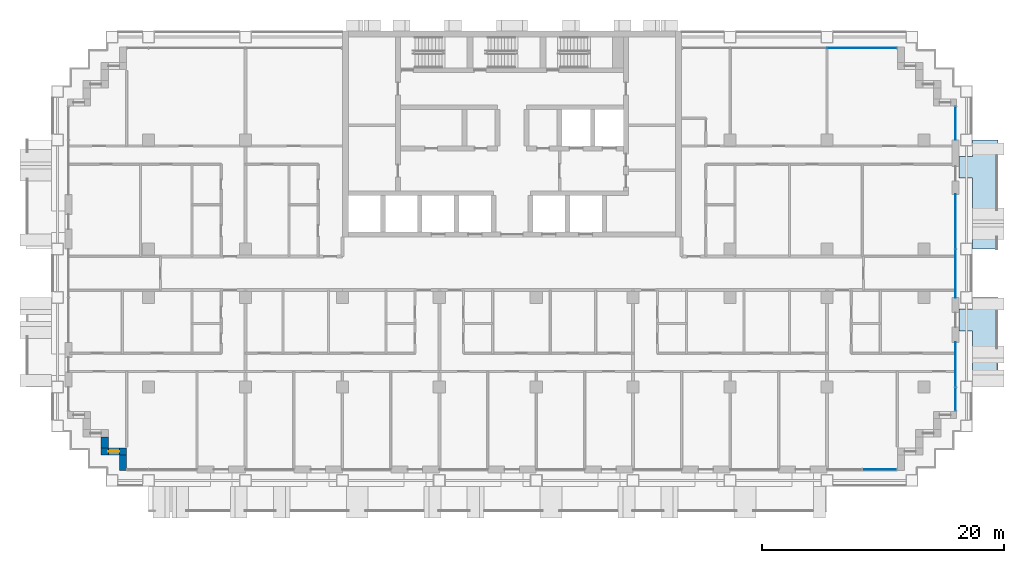
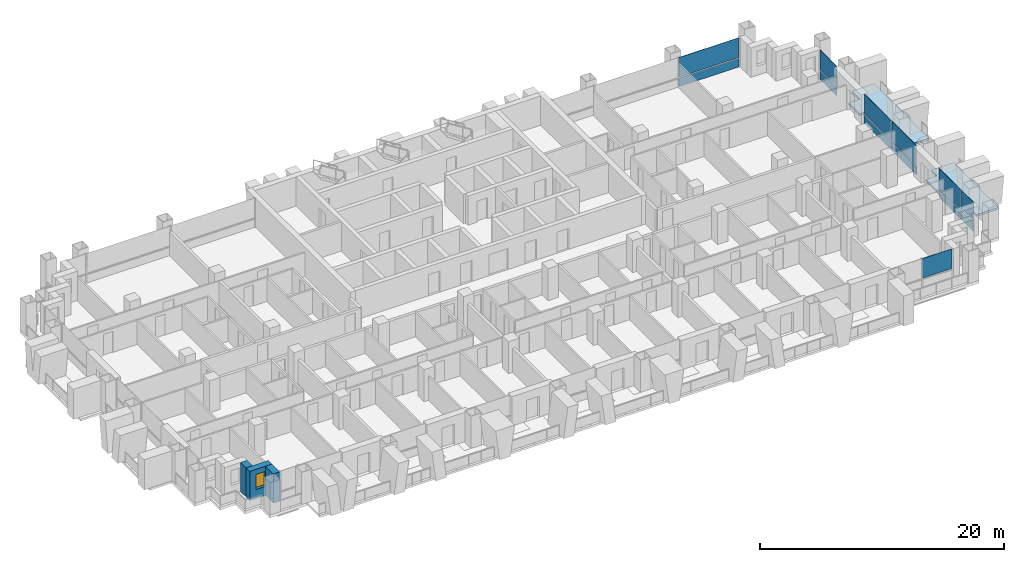
# One storey, part 8 of 19: 13 plates, 3 walls, 2 slabs, 1 window, 1 opening, 5 elements without a shape of their own.
"""IFC4 building model written with IfcOpenShell, lengths in metres."""

from ifc_helpers import new_model, si_unit, direction, frame, frame_2d, origin, origin_2d, place, context, subcontext, project, spatial, polyline, rectangle, outline, extrude, material, layer, layer_set, type_object, element, fill, aggregate, save


model = new_model("IFC4")

# Units and contexts
model_context = context("Model", 3, precision=1e-05, world=origin(), true_north=direction((0.0, 1.0)))
body_context = subcontext(model_context, "Body", "Model", "MODEL_VIEW")
ifc_project = project(units=[si_unit("LENGTHUNIT", "METRE"), si_unit("AREAUNIT", "SQUARE_METRE"), si_unit("VOLUMEUNIT", "CUBIC_METRE"), si_unit("PLANEANGLEUNIT", "RADIAN"), si_unit("MASSUNIT", "GRAM", prefix="KILO")], contexts=[model_context])

# Site, building, storey
site_placement = place(None, origin())
site = spatial("IfcSite", under=ifc_project, at=site_placement, CompositionType="ELEMENT")
building_placement = place(site_placement, origin())
building = spatial("IfcBuilding", under=site, at=building_placement, Name="Vidyagriha Tower", CompositionType="ELEMENT")
storey_placement = place(building_placement, frame((0.0, 0.0, 57.60009765625)))
storey = spatial("IfcBuildingStorey", under=building, at=storey_placement, Name="L15", CompositionType="ELEMENT", Elevation=57.60009765625)

# Curtain wall, plate
ifc_material_1 = material(Name="Aluminium and glass curtain wall", Category="aluminium")
curtain_wall_type = type_object("IfcCurtainWallType", Name="Dwelling skin unitised curtain wall", PredefinedType="USERDEFINED", material=ifc_material_1)
curtain_wall_1_placement = place(storey_placement, origin())
curtain_wall_1 = element("IfcCurtainWall", 1, at=curtain_wall_1_placement, inside=storey, type_object=curtain_wall_type, Name="CW1 dwelling skin", ObjectType="UNITISED", PredefinedType="USERDEFINED")
ifc_material_2 = material(Name="Glass dark ceramic-fritted spandrel", Category="glass")
ifc_layer_1 = layer(ifc_material_2, 0.0400390625)
ifc_layer_set_1 = layer_set([ifc_layer_1], Name="Glass dark ceramic-fritted spandrel")
plate_type_1 = type_object("IfcPlateType", Name="Ceramic-fritted spandrel panel", PredefinedType="CURTAIN_PANEL", material=ifc_layer_set_1)
plate_1_placement = place(storey_placement, frame((28.882568359375, 18.60009765625, -0.000244140625), z_axis=(0.0, 0.0, 1.0), x_axis=(-1.0, 0.0, 0.0)))
plate_1 = element("IfcPlate", 2, at=plate_1_placement, type_object=plate_type_1, Name="CW1 panel 1.1", PredefinedType="CURTAIN_PANEL", context=body_context, shape_type="SweptSolid", body=[
    extrude(rectangle(XDim=5.695068359375, YDim=0.0400390625, at=origin_2d()), origin(), (0.0, 0.0, 1.0), 0.85009765625),
])

# Curtain wall, plates
curtain_wall_2_placement = place(storey_placement, origin())
curtain_wall_2 = element("IfcCurtainWall", 3, at=curtain_wall_2_placement, inside=storey, type_object=curtain_wall_type, Name="CW1 dwelling skin", ObjectType="UNITISED", PredefinedType="USERDEFINED")
plate_2_placement = place(storey_placement, frame((36.60009765625, -10.382568359375, -0.000244140625), z_axis=(0.0, 0.0, 1.0), x_axis=(0.0, 1.0, 0.0)))
plate_2 = element("IfcPlate", 4, at=plate_2_placement, type_object=plate_type_1, Name="CW1 panel 1.1", PredefinedType="CURTAIN_PANEL", context=body_context, shape_type="SweptSolid", body=[
    extrude(rectangle(XDim=1.89501953125, YDim=0.0400390625, at=origin_2d()), origin(), (0.0, 0.0, 1.0), 0.85009765625),
])
plate_3_placement = place(storey_placement, frame((36.60009765625, -7.532470703125, -0.000244140625), z_axis=(0.0, 0.0, 1.0), x_axis=(0.0, 1.0, 0.0)))
plate_3 = element("IfcPlate", 5, at=plate_3_placement, type_object=plate_type_1, Name="CW1 panel 2.1", PredefinedType="CURTAIN_PANEL", context=body_context, shape_type="SweptSolid", body=[
    extrude(rectangle(XDim=3.6650390625, YDim=0.0400390625, at=origin_2d()), origin(), (0.0, 0.0, 1.0), 0.85009765625),
])

# Curtain wall, plate
curtain_wall_3_placement = place(storey_placement, origin())
curtain_wall_3 = element("IfcCurtainWall", 6, at=curtain_wall_3_placement, inside=storey, type_object=curtain_wall_type, Name="CW1 dwelling skin", ObjectType="UNITISED", PredefinedType="USERDEFINED")
plate_4_placement = place(storey_placement, frame((36.60009765625, 12.364990234375, -0.000244140625), z_axis=(0.0, 0.0, 1.0), x_axis=(0.0, 1.0, 0.0)))
plate_4 = element("IfcPlate", 7, at=plate_4_placement, type_object=plate_type_1, Name="CW1 panel 1.1", PredefinedType="CURTAIN_PANEL", context=body_context, shape_type="SweptSolid", body=[
    extrude(rectangle(XDim=2.72998046875, YDim=0.0400390625, at=origin_2d()), origin(), (0.0, 0.0, 1.0), 0.85009765625),
])

# Plate
ifc_material_3 = material(Name="Glass dark ceramic-fritted", Category="glass")
ifc_layer_2 = layer(ifc_material_3, 0.028076171875)
ifc_layer_set_2 = layer_set([ifc_layer_2], Name="Glass dark ceramic-fritted")
plate_type_2 = type_object("IfcPlateType", Name="Dark ceramic-fritted vision glass panel", PredefinedType="CURTAIN_PANEL", material=ifc_layer_set_2)
plate_5_placement = place(storey_placement, frame((28.882568359375, 18.60009765625, 0.94970703125), z_axis=(0.0, 0.0, 1.0), x_axis=(-1.0, 0.0, 0.0)))
plate_5 = element("IfcPlate", 8, at=plate_5_placement, type_object=plate_type_2, Name="CW1 panel 1.2", PredefinedType="CURTAIN_PANEL", context=body_context, shape_type="SweptSolid", body=[
    extrude(rectangle(XDim=5.695068359375, YDim=0.028076171875, at=origin_2d()), origin(), (0.0, 0.0, 1.0), 1.969970703125),
])

aggregate(curtain_wall_1, [plate_1, plate_5])

# Curtain wall, plate
curtain_wall_4_placement = place(storey_placement, origin())
curtain_wall_4 = element("IfcCurtainWall", 9, at=curtain_wall_4_placement, inside=storey, type_object=curtain_wall_type, Name="CW1 dwelling skin", ObjectType="UNITISED", PredefinedType="USERDEFINED")
plate_6_placement = place(storey_placement, frame((30.33251953125, -16.199951171875, 0.94970703125)))
plate_6 = element("IfcPlate", 10, at=plate_6_placement, type_object=plate_type_2, Name="CW1 panel 2.2", PredefinedType="CURTAIN_PANEL", context=body_context, shape_type="SweptSolid", body=[
    extrude(rectangle(XDim=2.794921875, YDim=0.028076171875, at=origin_2d()), origin(), (0.0, 0.0, 1.0), 1.969970703125),
])
aggregate(curtain_wall_4, [plate_6])

# Plate
plate_7_placement = place(storey_placement, frame((36.60009765625, -10.382568359375, 0.94970703125), z_axis=(0.0, 0.0, 1.0), x_axis=(0.0, 1.0, 0.0)))
plate_7 = element("IfcPlate", 11, at=plate_7_placement, type_object=plate_type_2, Name="CW1 panel 1.2", PredefinedType="CURTAIN_PANEL", context=body_context, shape_type="SweptSolid", body=[
    extrude(rectangle(XDim=1.89501953125, YDim=0.028076171875, at=origin_2d()), origin(), (0.0, 0.0, 1.0), 1.969970703125),
])

plate_8_placement = place(storey_placement, frame((36.60009765625, -7.532470703125, 0.94970703125), z_axis=(0.0, 0.0, 1.0), x_axis=(0.0, 1.0, 0.0)))
plate_8 = element("IfcPlate", 12, at=plate_8_placement, type_object=plate_type_2, Name="CW1 panel 2.2", PredefinedType="CURTAIN_PANEL", context=body_context, shape_type="SweptSolid", body=[
    extrude(rectangle(XDim=3.6650390625, YDim=0.028076171875, at=origin_2d()), origin(), (0.0, 0.0, 1.0), 1.969970703125),
])

aggregate(curtain_wall_2, [plate_2, plate_7, plate_3, plate_8])

# Curtain wall, plates
curtain_wall_5_placement = place(storey_placement, origin())
curtain_wall_5 = element("IfcCurtainWall", 13, at=curtain_wall_5_placement, inside=storey, type_object=curtain_wall_type, Name="CW1 dwelling skin", ObjectType="UNITISED", PredefinedType="USERDEFINED")
plate_9_placement = place(storey_placement, frame((36.60009765625, -0.017578125, 0.94970703125), z_axis=(0.0, 0.0, 1.0), x_axis=(0.0, 1.0, 0.0)))
plate_9 = element("IfcPlate", 14, at=plate_9_placement, type_object=plate_type_2, Name="CW1 panel 1.2", PredefinedType="CURTAIN_PANEL", context=body_context, shape_type="SweptSolid", body=[
    extrude(rectangle(XDim=3.965087890625, YDim=0.028076171875, at=origin_2d()), origin(), (0.0, 0.0, 1.0), 1.969970703125),
])
plate_10_placement = place(storey_placement, frame((36.60009765625, 4.267578125, 0.94970703125), z_axis=(0.0, 0.0, 1.0), x_axis=(0.0, 1.0, 0.0)))
plate_10 = element("IfcPlate", 15, at=plate_10_placement, type_object=plate_type_2, Name="CW1 panel 2.2", PredefinedType="CURTAIN_PANEL", context=body_context, shape_type="SweptSolid", body=[
    extrude(rectangle(XDim=4.465087890625, YDim=0.028076171875, at=origin_2d()), origin(), (0.0, 0.0, 1.0), 1.969970703125),
])

# Plate
plate_11_placement = place(storey_placement, frame((36.60009765625, 12.364990234375, 0.94970703125), z_axis=(0.0, 0.0, 1.0), x_axis=(0.0, 1.0, 0.0)))
plate_11 = element("IfcPlate", 16, at=plate_11_placement, type_object=plate_type_2, Name="CW1 panel 1.2", PredefinedType="CURTAIN_PANEL", context=body_context, shape_type="SweptSolid", body=[
    extrude(rectangle(XDim=2.72998046875, YDim=0.028076171875, at=origin_2d()), origin(), (0.0, 0.0, 1.0), 1.969970703125),
])

aggregate(curtain_wall_3, [plate_4, plate_11])

ifc_material_4 = material(Name="Aluminium black anodised", Category="aluminium")
ifc_layer_3 = layer(ifc_material_4, 0.06005859375)
ifc_layer_set_3 = layer_set([ifc_layer_3], Name="Aluminium black anodised")
plate_type_3 = type_object("IfcPlateType", Name="Operable black-metal vent panel", PredefinedType="CURTAIN_PANEL", material=ifc_layer_set_3)
plate_12_placement = place(storey_placement, frame((36.60009765625, -0.017578125, -0.000244140625), z_axis=(0.0, 0.0, 1.0), x_axis=(0.0, 1.0, 0.0)))
plate_12 = element("IfcPlate", 17, at=plate_12_placement, type_object=plate_type_3, Name="CW1 panel 1.1", PredefinedType="CURTAIN_PANEL", context=body_context, shape_type="SweptSolid", body=[
    extrude(rectangle(XDim=3.965087890625, YDim=0.06005859375, at=origin_2d()), origin(), (0.0, 0.0, 1.0), 0.85009765625),
])

plate_13_placement = place(storey_placement, frame((36.60009765625, 4.267578125, -0.000244140625), z_axis=(0.0, 0.0, 1.0), x_axis=(0.0, 1.0, 0.0)))
plate_13 = element("IfcPlate", 18, at=plate_13_placement, type_object=plate_type_3, Name="CW1 panel 2.1", PredefinedType="CURTAIN_PANEL", context=body_context, shape_type="SweptSolid", body=[
    extrude(rectangle(XDim=4.465087890625, YDim=0.06005859375, at=origin_2d()), origin(), (0.0, 0.0, 1.0), 0.85009765625),
])

aggregate(curtain_wall_5, [plate_12, plate_9, plate_13, plate_10])

# Slabs
ifc_material_5 = material(Name="Precast concrete C40/50", Category="concrete")
ifc_layer_4 = layer(ifc_material_5, 0.199951171875)
ifc_layer_set_4 = layer_set([ifc_layer_4], Name="Precast concrete C40/50")
slab_type = type_object("IfcSlabType", Name="Precast balcony slab 200", PredefinedType="USERDEFINED", material=ifc_layer_set_4)
slab_1_placement = place(storey_placement, frame((0.0, 0.0, -0.2001953125)))
element("IfcSlab", 19, at=slab_1_placement, inside=storey, type_object=slab_type, Name="Balcony slab L15 R30.1-1", ObjectType="BALCONY", PredefinedType="USERDEFINED", context=body_context, shape_type="SweptSolid", body=[
    extrude(outline(polyline([(38.0, -4.75), (38.0, -9.39990234375), (40.10009765625, -9.39990234375), (40.10009765625, -2.0), (38.0, -2.0), (38.0, -2.949951171875), (36.89990234375, -2.949951171875), (36.89990234375, -4.75), (38.0, -4.75)])), origin(), (0.0, 0.0, 1.0), 0.2001953125),
])
slab_2_placement = place(storey_placement, frame((0.0, 0.0, -0.2001953125)))
element("IfcSlab", 20, at=slab_2_placement, inside=storey, type_object=slab_type, Name="Balcony slab L15 R30.2-2", ObjectType="BALCONY", PredefinedType="USERDEFINED", context=body_context, shape_type="SweptSolid", body=[
    extrude(outline(polyline([(38.0, 7.85009765625), (38.0, 2.0), (40.10009765625, 2.0), (40.10009765625, 11.0), (38.0, 11.0), (38.0, 9.64990234375), (36.89990234375, 9.64990234375), (36.89990234375, 7.85009765625), (38.0, 7.85009765625)])), origin(), (0.0, 0.0, 1.0), 0.2001953125),
])

# Wall
ifc_material_6 = material(Name="Precast concrete C40/50 with brick facing", Category="concrete")
ifc_layer_5 = layer(ifc_material_6, 0.60009765625)
ifc_layer_set_5 = layer_set([ifc_layer_5], Name="Precast concrete C40/50 with brick facing")
wall_type = type_object("IfcWallType", Name="Brick-faced precast wall 600", PredefinedType="STANDARD", material=ifc_layer_set_5)
wall_1_placement = place(storey_placement, frame((-33.60009765625, -13.5, 0.0), z_axis=(0.0, 0.0, 1.0), x_axis=(0.0, -1.0, 0.0)))
element("IfcWall", 21, at=wall_1_placement, inside=storey, type_object=wall_type, Name="Stepped corner wall L15 R20", PredefinedType="STANDARD", context=body_context, shape_type="SweptSolid", body=[
    extrude(rectangle(XDim=0.89990234375, YDim=0.60009765625, at=frame_2d((0.449951171875, 0.0))), origin(), (0.0, 0.0, 1.0), 2.919921875),
])

# Wall, opening, window
wall_2_placement = place(storey_placement, frame((-33.89990234375, -14.699951171875, 0.0)))
wall_2 = element("IfcWall", 22, at=wall_2_placement, inside=storey, type_object=wall_type, Name="Stepped corner wall L15 R21", PredefinedType="STANDARD", context=body_context, shape_type="SweptSolid", body=[
    extrude(rectangle(XDim=2.099853515625, YDim=0.60009765625, at=frame_2d((1.0498046875, 0.0))), origin(), (0.0, 0.0, 1.0), 2.919921875),
])
opening_placement = place(wall_2_placement, frame((0.60009765625, 0.0, 0.89990234375)))
opening = element("IfcOpeningElement", 23, at=opening_placement, cuts=wall_2, Name="Opening WN1", PredefinedType="OPENING", context=body_context, shape_type="SweptSolid", body=[
    extrude(rectangle(XDim=0.89990234375, YDim=1.5, at=frame_2d((0.449951171875, 0.75))), frame((0.0, 0.31005859375, 0.0), z_axis=(0.0, -1.0, 0.0), x_axis=(1.0, 0.0, 0.0)), (0.0, 0.0, 1.0), 0.6201171875),
])
ifc_material_7 = material(Name="Aluminium and glass window", Category="aluminium")
window_type = type_object("IfcWindowType", Name="Reveal window 900x1500", PartitioningType="NOTDEFINED", PredefinedType="WINDOW", material=ifc_material_7)
window_placement = place(opening_placement, origin())
window = element("IfcWindow", 24, at=window_placement, inside=storey, type_object=window_type, Name="Reveal window L15 R21", OverallHeight=1.5, OverallWidth=0.89990234375, PartitioningType="SINGLE_PANEL", PredefinedType="WINDOW", context=body_context, shape_type="SweptSolid", body=[
    extrude(rectangle(XDim=0.89990234375, YDim=1.5, at=frame_2d((0.449951171875, 0.75))), frame((0.0, 0.030029296875, 0.0), z_axis=(0.0, -1.0, 0.0), x_axis=(1.0, 0.0, 0.0)), (0.0, 0.0, 1.0), 0.06005859375),
])
fill(opening, window)

# Wall
wall_3_placement = place(storey_placement, frame((-32.10009765625, -15.0, 0.0), z_axis=(0.0, 0.0, 1.0), x_axis=(0.0, -1.0, 0.0)))
element("IfcWall", 25, at=wall_3_placement, inside=storey, type_object=wall_type, Name="Stepped corner wall L15 R22", PredefinedType="STANDARD", context=body_context, shape_type="SweptSolid", body=[
    extrude(rectangle(XDim=1.280029296875, YDim=0.60009765625, at=frame_2d((0.64013671875, 0.0))), origin(), (0.0, 0.0, 1.0), 2.919921875),
])

save(model, "model.ifc")
